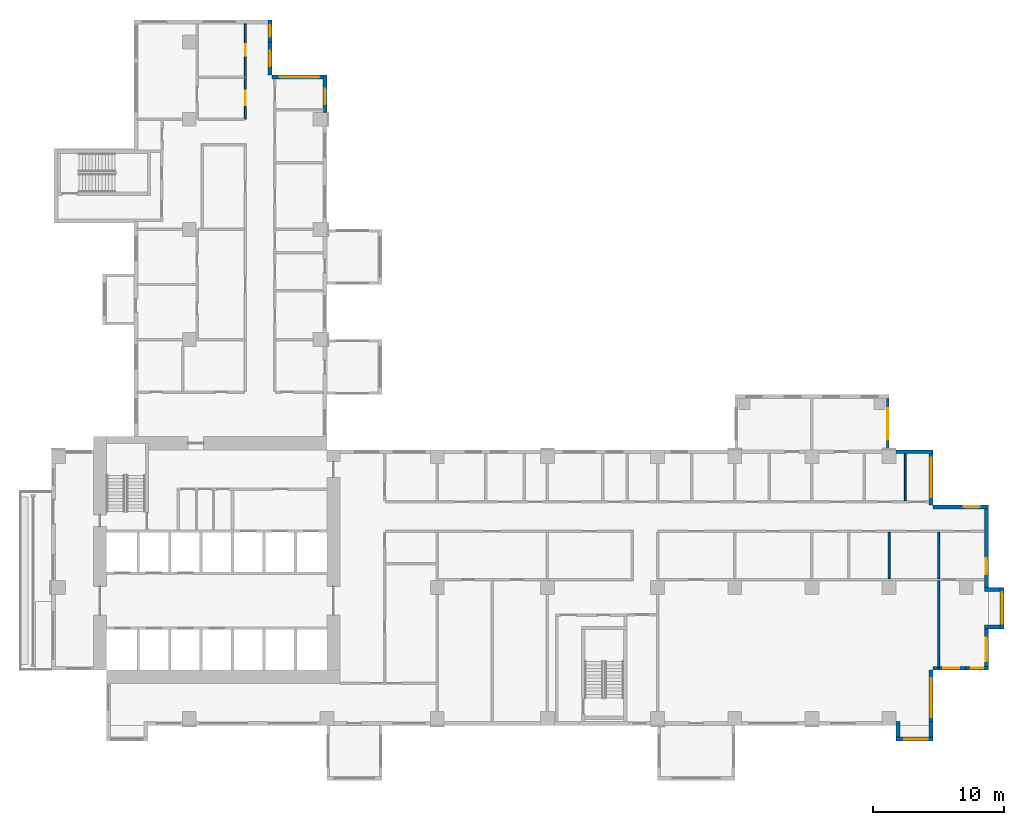
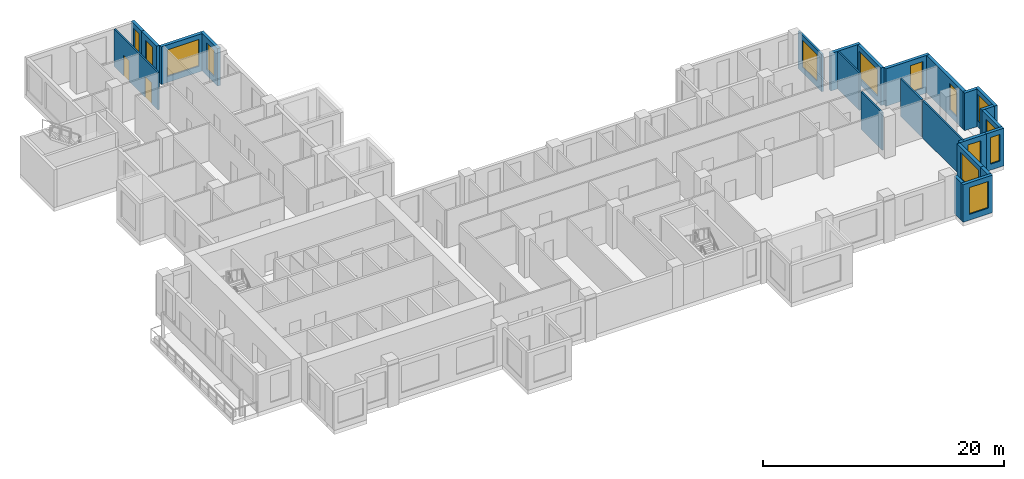
# One storey, part 8 of 14: 24 walls, 14 windows, 2 doors, 16 openings.
"""IFC4 building model written with IfcOpenShell, lengths in metres."""

from ifc_helpers import new_model, si_unit, direction, frame, frame_2d, origin, place, context, subcontext, project, spatial, rectangle, extrude, source, transform, mapped, material, layer, layer_set, type_object, element, fill, save


model = new_model("IFC4")

# Units and contexts
model_context = context("Model", 3, precision=1e-05, world=origin(), true_north=direction((0.0, 1.0)))
body_context = subcontext(model_context, "Body", "Model", "MODEL_VIEW")
ifc_project = project(units=[si_unit("LENGTHUNIT", "METRE"), si_unit("AREAUNIT", "SQUARE_METRE"), si_unit("VOLUMEUNIT", "CUBIC_METRE"), si_unit("PLANEANGLEUNIT", "RADIAN"), si_unit("MASSUNIT", "GRAM", prefix="KILO")], contexts=[model_context])

# Site, building, storey
site_placement = place(None, origin())
site = spatial("IfcSite", under=ifc_project, at=site_placement, CompositionType="ELEMENT")
building_placement = place(site_placement, origin())
building = spatial("IfcBuilding", under=site, at=building_placement, Name="Aurelian Terraces", CompositionType="ELEMENT")
storey_placement = place(building_placement, frame((0.0, 0.0, 111.9)))
storey = spatial("IfcBuildingStorey", under=building, at=storey_placement, Name="L24", CompositionType="ELEMENT", Elevation=111.9)

# Wall, opening, window
ifc_material_1 = material(Name="Terracotta rainscreen cladding", Category="masonry")
ifc_layer_1 = layer(ifc_material_1, 0.3)
ifc_layer_set_1 = layer_set([ifc_layer_1], Name="EW-300")
wall_type_1 = type_object("IfcWallType", Name="EW-300", PredefinedType="STANDARD", material=ifc_layer_set_1)
shared_shape_1 = source(origin(), body_context, "Body", "SweptSolid", [
    extrude(rectangle(XDim=3.15, YDim=0.3, at=frame_2d((1.575, 0.0))), origin(), (0.0, 0.0, 1.0), 3.8),
])
wall_1_placement = place(storey_placement, frame((71.25, 4.2, 0.0), z_axis=(0.0, 0.0, 1.0), x_axis=(0.0, 1.0, 0.0)))
wall_1 = element("IfcWall", 1, at=wall_1_placement, inside=storey, type_object=wall_type_1, Name="External wall L24 F04.14", PredefinedType="STANDARD", context=body_context, shape_type="MappedRepresentation", body=[
    mapped(shared_shape_1, transform((0.0, 0.0, 0.0), scale=1.0)),
])
shared_shape_2 = source(origin(), body_context, "Body", "SweptSolid", [
    extrude(rectangle(XDim=1.8, YDim=2.7, at=frame_2d((0.9, 1.35))), frame((0.0, 0.16, 0.0), z_axis=(0.0, -1.0, 0.0), x_axis=(1.0, 0.0, 0.0)), (0.0, 0.0, 1.0), 0.32),
])
opening_1_placement = place(wall_1_placement, frame((0.675, 0.0, 0.6)))
opening_1 = element("IfcOpeningElement", 2, at=opening_1_placement, cuts=wall_1, Name="Opening W1827", PredefinedType="OPENING", context=body_context, shape_type="MappedRepresentation", body=[
    mapped(shared_shape_2, transform((0.0, 0.0, 0.0), scale=1.0)),
])
ifc_material_2 = material(Name="Clear glazing", Category="glass")
window_type_1 = type_object("IfcWindowType", Name="W-1800x2700", PartitioningType="SINGLE_PANEL", PredefinedType="WINDOW", material=ifc_material_2)
shared_shape_3 = source(origin(), body_context, "Body", "SweptSolid", [
    extrude(rectangle(XDim=1.8, YDim=2.7, at=frame_2d((0.9, 1.35))), frame((0.0, 0.03, 0.0), z_axis=(0.0, -1.0, 0.0), x_axis=(1.0, 0.0, 0.0)), (0.0, 0.0, 1.0), 0.06),
])
window_1_placement = place(opening_1_placement, origin())
window_1 = element("IfcWindow", 3, at=window_1_placement, inside=storey, type_object=window_type_1, Name="Window L24 L24-F04-14-0", OverallHeight=2.7, OverallWidth=1.8, PartitioningType="SINGLE_PANEL", PredefinedType="WINDOW", context=body_context, shape_type="MappedRepresentation", body=[
    mapped(shared_shape_3, transform((0.0, 0.0, 0.0), scale=1.0)),
])
fill(opening_1, window_1)

wall_2_placement = place(storey_placement, frame((72.45, 7.35, 0.0), z_axis=(0.0, 0.0, 1.0), x_axis=(0.0, 1.0, 0.0)))
wall_2 = element("IfcWall", 4, at=wall_2_placement, inside=storey, type_object=wall_type_1, Name="Bay wall L24 F04.15", PredefinedType="STANDARD", context=body_context, shape_type="MappedRepresentation", body=[
    mapped(shared_shape_1, transform((0.0, 0.0, 0.0), scale=1.0)),
])
shared_shape_4 = source(origin(), body_context, "Body", "SweptSolid", [
    extrude(rectangle(XDim=2.4, YDim=2.7, at=frame_2d((1.2, 1.35))), frame((0.0, 0.16, 0.0), z_axis=(0.0, -1.0, 0.0), x_axis=(1.0, 0.0, 0.0)), (0.0, 0.0, 1.0), 0.32),
])
opening_2_placement = place(wall_2_placement, frame((0.375, 0.0, 0.6)))
opening_2 = element("IfcOpeningElement", 5, at=opening_2_placement, cuts=wall_2, Name="Opening W2427", PredefinedType="OPENING", context=body_context, shape_type="MappedRepresentation", body=[
    mapped(shared_shape_4, transform((0.0, 0.0, 0.0), scale=1.0)),
])
window_type_2 = type_object("IfcWindowType", Name="W-2400x2700", PartitioningType="SINGLE_PANEL", PredefinedType="WINDOW", material=ifc_material_2)
shared_shape_5 = source(origin(), body_context, "Body", "SweptSolid", [
    extrude(rectangle(XDim=2.4, YDim=2.7, at=frame_2d((1.2, 1.35))), frame((0.0, 0.03, 0.0), z_axis=(0.0, -1.0, 0.0), x_axis=(1.0, 0.0, 0.0)), (0.0, 0.0, 1.0), 0.06),
])
window_2_placement = place(opening_2_placement, origin())
window_2 = element("IfcWindow", 6, at=window_2_placement, inside=storey, type_object=window_type_2, Name="Window L24 L24-F04-15-0", OverallHeight=2.7, OverallWidth=2.4, PartitioningType="SINGLE_PANEL", PredefinedType="WINDOW", context=body_context, shape_type="MappedRepresentation", body=[
    mapped(shared_shape_5, transform((0.0, 0.0, 0.0), scale=1.0)),
])
fill(opening_2, window_2)

shared_shape_6 = source(origin(), body_context, "Body", "SweptSolid", [
    extrude(rectangle(XDim=4.2, YDim=0.3, at=frame_2d((2.1, 0.0))), origin(), (0.0, 0.0, 1.0), 3.8),
])
wall_3_placement = place(storey_placement, frame((67.05, 0.0, 0.0), z_axis=(0.0, 0.0, 1.0), x_axis=(0.0, 1.0, 0.0)))
wall_3 = element("IfcWall", 7, at=wall_3_placement, inside=storey, type_object=wall_type_1, Name="External wall L24 F02.11", PredefinedType="STANDARD", context=body_context, shape_type="MappedRepresentation", body=[
    mapped(shared_shape_6, transform((0.0, 0.0, 0.0), scale=1.0)),
])
shared_shape_7 = source(origin(), body_context, "Body", "SweptSolid", [
    extrude(rectangle(XDim=3.0, YDim=2.7, at=frame_2d((1.5, 1.35))), frame((0.0, 0.16, 0.0), z_axis=(0.0, -1.0, 0.0), x_axis=(1.0, 0.0, 0.0)), (0.0, 0.0, 1.0), 0.32),
])
opening_3_placement = place(wall_3_placement, frame((0.6, 0.0, 0.6)))
opening_3 = element("IfcOpeningElement", 8, at=opening_3_placement, cuts=wall_3, Name="Opening W3027", PredefinedType="OPENING", context=body_context, shape_type="MappedRepresentation", body=[
    mapped(shared_shape_7, transform((0.0, 0.0, 0.0), scale=1.0)),
])
window_type_3 = type_object("IfcWindowType", Name="W-3000x2700", PartitioningType="SINGLE_PANEL", PredefinedType="WINDOW", material=ifc_material_2)
shared_shape_8 = source(origin(), body_context, "Body", "SweptSolid", [
    extrude(rectangle(XDim=3.0, YDim=2.7, at=frame_2d((1.5, 1.35))), frame((0.0, 0.03, 0.0), z_axis=(0.0, -1.0, 0.0), x_axis=(1.0, 0.0, 0.0)), (0.0, 0.0, 1.0), 0.06),
])
window_3_placement = place(opening_3_placement, origin())
window_3 = element("IfcWindow", 9, at=window_3_placement, inside=storey, type_object=window_type_3, Name="Window L24 L24-F02-11-0", OverallHeight=2.7, OverallWidth=3.0, PartitioningType="SINGLE_PANEL", PredefinedType="WINDOW", context=body_context, shape_type="MappedRepresentation", body=[
    mapped(shared_shape_8, transform((0.0, 0.0, 0.0), scale=1.0)),
])
fill(opening_3, window_3)

wall_4_placement = place(storey_placement, frame((71.4, 16.65, 0.0), z_axis=(0.0, 0.0, 1.0), x_axis=(-1.0, 0.0, 0.0)))
wall_4 = element("IfcWall", 10, at=wall_4_placement, inside=storey, type_object=wall_type_1, Name="External wall L24 F05.17", PredefinedType="STANDARD", context=body_context, shape_type="MappedRepresentation", body=[
    mapped(shared_shape_6, transform((0.0, 0.0, 0.0), scale=1.0)),
])
shared_shape_9 = source(origin(), body_context, "Body", "SweptSolid", [
    extrude(rectangle(XDim=1.2, YDim=2.7, at=frame_2d((0.6, 1.35))), frame((0.0, 0.16, 0.0), z_axis=(0.0, -1.0, 0.0), x_axis=(1.0, 0.0, 0.0)), (0.0, 0.0, 1.0), 0.32),
])
opening_4_placement = place(wall_4_placement, frame((0.66, 0.0, 0.6)))
opening_4 = element("IfcOpeningElement", 11, at=opening_4_placement, cuts=wall_4, Name="Opening W1227", PredefinedType="OPENING", context=body_context, shape_type="MappedRepresentation", body=[
    mapped(shared_shape_9, transform((0.0, 0.0, 0.0), scale=1.0)),
])
window_type_4 = type_object("IfcWindowType", Name="W-1200x2700", PartitioningType="SINGLE_PANEL", PredefinedType="WINDOW", material=ifc_material_2)
shared_shape_10 = source(origin(), body_context, "Body", "SweptSolid", [
    extrude(rectangle(XDim=1.2, YDim=2.7, at=frame_2d((0.6, 1.35))), frame((0.0, 0.03, 0.0), z_axis=(0.0, -1.0, 0.0), x_axis=(1.0, 0.0, 0.0)), (0.0, 0.0, 1.0), 0.06),
])
window_4_placement = place(opening_4_placement, origin())
window_4 = element("IfcWindow", 12, at=window_4_placement, inside=storey, type_object=window_type_4, Name="Window L24 L24-F05-17-0", OverallHeight=2.7, OverallWidth=1.2, PartitioningType="SINGLE_PANEL", PredefinedType="WINDOW", context=body_context, shape_type="MappedRepresentation", body=[
    mapped(shared_shape_10, transform((0.0, 0.0, 0.0), scale=1.0)),
])
fill(opening_4, window_4)

wall_5_placement = place(storey_placement, frame((67.05, 16.8, 0.0), z_axis=(0.0, 0.0, 1.0), x_axis=(0.0, 1.0, 0.0)))
wall_5 = element("IfcWall", 13, at=wall_5_placement, inside=storey, type_object=wall_type_1, Name="External wall L24 F06.18", PredefinedType="STANDARD", context=body_context, shape_type="MappedRepresentation", body=[
    mapped(shared_shape_6, transform((0.0, 0.0, 0.0), scale=1.0)),
])
opening_5_placement = place(wall_5_placement, frame((0.6, 0.0, 0.6)))
opening_5 = element("IfcOpeningElement", 14, at=opening_5_placement, cuts=wall_5, Name="Opening W3027", PredefinedType="OPENING", context=body_context, shape_type="MappedRepresentation", body=[
    mapped(shared_shape_7, transform((0.0, 0.0, 0.0), scale=1.0)),
])
window_5_placement = place(opening_5_placement, origin())
window_5 = element("IfcWindow", 15, at=window_5_placement, inside=storey, type_object=window_type_3, Name="Window L24 L24-F06-18-0", OverallHeight=2.7, OverallWidth=3.0, PartitioningType="SINGLE_PANEL", PredefinedType="WINDOW", context=body_context, shape_type="MappedRepresentation", body=[
    mapped(shared_shape_8, transform((0.0, 0.0, 0.0), scale=1.0)),
])
fill(opening_5, window_5)

wall_6_placement = place(storey_placement, frame((21.0, 49.41, 0.0), z_axis=(0.0, 0.0, 1.0), x_axis=(-1.0, 0.0, 0.0)))
wall_6 = element("IfcWall", 16, at=wall_6_placement, inside=storey, type_object=wall_type_1, Name="External wall L24 F09.25", PredefinedType="STANDARD", context=body_context, shape_type="MappedRepresentation", body=[
    mapped(shared_shape_6, transform((0.0, 0.0, 0.0), scale=1.0)),
])
opening_6_placement = place(wall_6_placement, frame((0.6, 0.0, 0.6)))
opening_6 = element("IfcOpeningElement", 17, at=opening_6_placement, cuts=wall_6, Name="Opening W3027", PredefinedType="OPENING", context=body_context, shape_type="MappedRepresentation", body=[
    mapped(shared_shape_7, transform((0.0, 0.0, 0.0), scale=1.0)),
])
window_6_placement = place(opening_6_placement, origin())
window_6 = element("IfcWindow", 18, at=window_6_placement, inside=storey, type_object=window_type_3, Name="Window L24 L24-F09-25-0", OverallHeight=2.7, OverallWidth=3.0, PartitioningType="SINGLE_PANEL", PredefinedType="WINDOW", context=body_context, shape_type="MappedRepresentation", body=[
    mapped(shared_shape_8, transform((0.0, 0.0, 0.0), scale=1.0)),
])
fill(opening_6, window_6)

# Walls
shared_shape_11 = source(origin(), body_context, "Body", "SweptSolid", [
    extrude(rectangle(XDim=1.2, YDim=0.3, at=frame_2d((0.6, 0.0))), origin(), (0.0, 0.0, 1.0), 3.8),
])
for number, where, z_axis, x_axis, name in (
    (19, (64.515, 0.3, 0.0), (0.0, 0.0, 1.0), (0.0, -1.0, 0.0), "Bay return L24 F01.10.1"),
    (20, (67.05, 0.3, 0.0), (0.0, 0.0, 1.0), (0.0, -1.0, 0.0), "Bay return L24 F01.10.2"),
    (21, (71.1, 7.5, 0.0), (0.0, 0.0, 1.0), (1.0, 0.0, 0.0), "Bay return L24 F04.15.1"),
    (22, (71.1, 10.35, 0.0), (0.0, 0.0, 1.0), (1.0, 0.0, 0.0), "Bay return L24 F04.15.2"),
):
    element("IfcWall", number, at=place(storey_placement, frame(where, z_axis=z_axis, x_axis=x_axis)), inside=storey, type_object=wall_type_1, Name=name, PredefinedType="STANDARD", context=body_context, shape_type="MappedRepresentation", body=[
        mapped(shared_shape_11, transform((0.0, 0.0, 0.0), scale=1.0)),
    ])

# Wall, opening, window
shared_shape_12 = source(origin(), body_context, "Body", "SweptSolid", [
    extrude(rectangle(XDim=2.52, YDim=0.3, at=frame_2d((1.26, 0.0))), origin(), (0.0, 0.0, 1.0), 3.8),
])
wall_7_placement = place(storey_placement, frame((67.2, 4.35, 0.0), z_axis=(0.0, 0.0, 1.0), x_axis=(1.0, 0.0, 0.0)))
wall_7 = element("IfcWall", 23, at=wall_7_placement, inside=storey, type_object=wall_type_1, Name="External wall L24 F03.12", PredefinedType="STANDARD", context=body_context, shape_type="MappedRepresentation", body=[
    mapped(shared_shape_12, transform((0.0, 0.0, 0.0), scale=1.0)),
])
opening_7_placement = place(wall_7_placement, frame((0.7775, 0.0, 0.6)))
opening_7 = element("IfcOpeningElement", 24, at=opening_7_placement, cuts=wall_7, Name="Opening W1227", PredefinedType="OPENING", context=body_context, shape_type="MappedRepresentation", body=[
    mapped(shared_shape_9, transform((0.0, 0.0, 0.0), scale=1.0)),
])
window_7_placement = place(opening_7_placement, origin())
window_7 = element("IfcWindow", 25, at=window_7_placement, inside=storey, type_object=window_type_4, Name="Window L24 L24-F03-12-P0", OverallHeight=2.7, OverallWidth=1.2, PartitioningType="SINGLE_PANEL", PredefinedType="WINDOW", context=body_context, shape_type="MappedRepresentation", body=[
    mapped(shared_shape_10, transform((0.0, 0.0, 0.0), scale=1.0)),
])
fill(opening_7, window_7)

wall_8_placement = place(storey_placement, frame((16.65, 49.56, 0.0), z_axis=(0.0, 0.0, 1.0), x_axis=(0.0, 1.0, 0.0)))
wall_8 = element("IfcWall", 26, at=wall_8_placement, inside=storey, type_object=wall_type_1, Name="External wall L24 F10.26", PredefinedType="STANDARD", context=body_context, shape_type="MappedRepresentation", body=[
    mapped(shared_shape_12, transform((0.0, 0.0, 0.0), scale=1.0)),
])
opening_8_placement = place(wall_8_placement, frame((0.66, 0.0, 0.6)))
opening_8 = element("IfcOpeningElement", 27, at=opening_8_placement, cuts=wall_8, Name="Opening W1227", PredefinedType="OPENING", context=body_context, shape_type="MappedRepresentation", body=[
    mapped(shared_shape_9, transform((0.0, 0.0, 0.0), scale=1.0)),
])
window_8_placement = place(opening_8_placement, origin())
window_8 = element("IfcWindow", 28, at=window_8_placement, inside=storey, type_object=window_type_4, Name="Window L24 L24-F10-26-0", OverallHeight=2.7, OverallWidth=1.2, PartitioningType="SINGLE_PANEL", PredefinedType="WINDOW", context=body_context, shape_type="MappedRepresentation", body=[
    mapped(shared_shape_10, transform((0.0, 0.0, 0.0), scale=1.0)),
])
fill(opening_8, window_8)

shared_shape_13 = source(origin(), body_context, "Body", "SweptSolid", [
    extrude(rectangle(XDim=1.68, YDim=0.3, at=frame_2d((0.84, 0.0))), origin(), (0.0, 0.0, 1.0), 3.8),
])
wall_9_placement = place(storey_placement, frame((69.72, 4.35, 0.0), z_axis=(0.0, 0.0, 1.0), x_axis=(1.0, 0.0, 0.0)))
wall_9 = element("IfcWall", 29, at=wall_9_placement, inside=storey, type_object=wall_type_1, Name="External wall L24 F03.13", PredefinedType="STANDARD", context=body_context, shape_type="MappedRepresentation", body=[
    mapped(shared_shape_13, transform((0.0, 0.0, 0.0), scale=1.0)),
])
shared_shape_14 = source(origin(), body_context, "Body", "SweptSolid", [
    extrude(rectangle(XDim=0.9, YDim=2.7, at=frame_2d((0.45, 1.35))), frame((0.0, 0.16, 0.0), z_axis=(0.0, -1.0, 0.0), x_axis=(1.0, 0.0, 0.0)), (0.0, 0.0, 1.0), 0.32),
])
opening_9_placement = place(wall_9_placement, frame((0.39, 0.0, 0.6)))
opening_9 = element("IfcOpeningElement", 30, at=opening_9_placement, cuts=wall_9, Name="Opening W0927", PredefinedType="OPENING", context=body_context, shape_type="MappedRepresentation", body=[
    mapped(shared_shape_14, transform((0.0, 0.0, 0.0), scale=1.0)),
])
window_type_5 = type_object("IfcWindowType", Name="W-900x2700", PartitioningType="SINGLE_PANEL", PredefinedType="WINDOW", material=ifc_material_2)
shared_shape_15 = source(origin(), body_context, "Body", "SweptSolid", [
    extrude(rectangle(XDim=0.9, YDim=2.7, at=frame_2d((0.45, 1.35))), frame((0.0, 0.03, 0.0), z_axis=(0.0, -1.0, 0.0), x_axis=(1.0, 0.0, 0.0)), (0.0, 0.0, 1.0), 0.06),
])
window_9_placement = place(opening_9_placement, origin())
window_9 = element("IfcWindow", 31, at=window_9_placement, inside=storey, type_object=window_type_5, Name="Window L24 L24-F03-13-P0", OverallHeight=2.7, OverallWidth=0.9, PartitioningType="SINGLE_PANEL", PredefinedType="WINDOW", context=body_context, shape_type="MappedRepresentation", body=[
    mapped(shared_shape_15, transform((0.0, 0.0, 0.0), scale=1.0)),
])
fill(opening_9, window_9)

wall_10_placement = place(storey_placement, frame((16.65, 52.08, 0.0), z_axis=(0.0, 0.0, 1.0), x_axis=(0.0, 1.0, 0.0)))
wall_10 = element("IfcWall", 32, at=wall_10_placement, inside=storey, type_object=wall_type_1, Name="External wall L24 F10.27", PredefinedType="STANDARD", context=body_context, shape_type="MappedRepresentation", body=[
    mapped(shared_shape_13, transform((0.0, 0.0, 0.0), scale=1.0)),
])
opening_10_placement = place(wall_10_placement, frame((0.39, 0.0, 0.6)))
opening_10 = element("IfcOpeningElement", 33, at=opening_10_placement, cuts=wall_10, Name="Opening W0927", PredefinedType="OPENING", context=body_context, shape_type="MappedRepresentation", body=[
    mapped(shared_shape_14, transform((0.0, 0.0, 0.0), scale=1.0)),
])
window_10_placement = place(opening_10_placement, origin())
window_10 = element("IfcWindow", 34, at=window_10_placement, inside=storey, type_object=window_type_5, Name="Window L24 L24-F10-27-P0", OverallHeight=2.7, OverallWidth=0.9, PartitioningType="SINGLE_PANEL", PredefinedType="WINDOW", context=body_context, shape_type="MappedRepresentation", body=[
    mapped(shared_shape_15, transform((0.0, 0.0, 0.0), scale=1.0)),
])
fill(opening_10, window_10)

shared_shape_16 = source(origin(), body_context, "Body", "SweptSolid", [
    extrude(rectangle(XDim=6.3, YDim=0.3, at=frame_2d((3.15, 0.0))), origin(), (0.0, 0.0, 1.0), 3.8),
])
wall_11_placement = place(storey_placement, frame((71.25, 10.5, 0.0), z_axis=(0.0, 0.0, 1.0), x_axis=(0.0, 1.0, 0.0)))
wall_11 = element("IfcWall", 35, at=wall_11_placement, inside=storey, type_object=wall_type_1, Name="External wall L24 F04.16", PredefinedType="STANDARD", context=body_context, shape_type="MappedRepresentation", body=[
    mapped(shared_shape_16, transform((0.0, 0.0, 0.0), scale=1.0)),
])
opening_11_placement = place(wall_11_placement, frame((1.025, 0.0, 0.6)))
opening_11 = element("IfcOpeningElement", 36, at=opening_11_placement, cuts=wall_11, Name="Opening W1227", PredefinedType="OPENING", context=body_context, shape_type="MappedRepresentation", body=[
    mapped(shared_shape_9, transform((0.0, 0.0, 0.0), scale=1.0)),
])
window_11_placement = place(opening_11_placement, origin())
window_11 = element("IfcWindow", 37, at=window_11_placement, inside=storey, type_object=window_type_4, Name="Window L24 L24-F04-16-0", OverallHeight=2.7, OverallWidth=1.2, PartitioningType="SINGLE_PANEL", PredefinedType="WINDOW", context=body_context, shape_type="MappedRepresentation", body=[
    mapped(shared_shape_10, transform((0.0, 0.0, 0.0), scale=1.0)),
])
fill(opening_11, window_11)

ifc_material_3 = material(Name="Concrete fc' 40 MPa", Category="concrete")
ifc_layer_2 = layer(ifc_material_3, 0.2)
ifc_layer_set_2 = layer_set([ifc_layer_2], Name="BOX BEARING WALL 200")
wall_type_2 = type_object("IfcWallType", Name="BOX BEARING WALL 200", PredefinedType="SOLIDWALL", material=ifc_layer_set_2)
shared_shape_17 = source(origin(), body_context, "Body", "SweptSolid", [
    extrude(rectangle(XDim=3.9, YDim=0.2, at=frame_2d((1.95, 0.0))), origin(), (0.0, 0.0, 1.0), 3.79),
])
wall_12_placement = place(storey_placement, frame((63.74, 21.0, 0.0), z_axis=(0.0, 0.0, 1.0), x_axis=(0.0, 1.0, 0.0)))
wall_12 = element("IfcWall", 38, at=wall_12_placement, inside=storey, type_object=wall_type_2, Name="Box return L24 K02.1", PredefinedType="SOLIDWALL", context=body_context, shape_type="MappedRepresentation", body=[
    mapped(shared_shape_17, transform((0.0, 0.0, 0.0), scale=1.0)),
])
shared_shape_18 = source(origin(), body_context, "Body", "SweptSolid", [
    extrude(rectangle(XDim=2.4, YDim=2.7, at=frame_2d((1.2, 1.35))), frame((0.0, 0.11, 0.0), z_axis=(0.0, -1.0, 0.0), x_axis=(1.0, 0.0, 0.0)), (0.0, 0.0, 1.0), 0.22),
])
opening_12_placement = place(wall_12_placement, frame((0.75, 0.0, 0.6)))
opening_12 = element("IfcOpeningElement", 39, at=opening_12_placement, cuts=wall_12, Name="Opening W2427", PredefinedType="OPENING", context=body_context, shape_type="MappedRepresentation", body=[
    mapped(shared_shape_18, transform((0.0, 0.0, 0.0), scale=1.0)),
])
window_12_placement = place(opening_12_placement, origin())
window_12 = element("IfcWindow", 40, at=window_12_placement, inside=storey, type_object=window_type_2, Name="Window L24 K02-S1", OverallHeight=2.7, OverallWidth=2.4, PartitioningType="SINGLE_PANEL", PredefinedType="WINDOW", context=body_context, shape_type="MappedRepresentation", body=[
    mapped(shared_shape_5, transform((0.0, 0.0, 0.0), scale=1.0)),
])
fill(opening_12, window_12)

shared_shape_19 = source(origin(), body_context, "Body", "SweptSolid", [
    extrude(rectangle(XDim=2.835, YDim=0.3, at=frame_2d((1.4175, 0.0))), origin(), (0.0, 0.0, 1.0), 3.8),
])
wall_13_placement = place(storey_placement, frame((64.365, -1.05, 0.0), z_axis=(0.0, 0.0, 1.0), x_axis=(1.0, 0.0, 0.0)))
wall_13 = element("IfcWall", 41, at=wall_13_placement, inside=storey, type_object=wall_type_1, Name="Bay wall L24 F01.10", PredefinedType="STANDARD", context=body_context, shape_type="MappedRepresentation", body=[
    mapped(shared_shape_19, transform((0.0, 0.0, 0.0), scale=1.0)),
])
opening_13_placement = place(wall_13_placement, frame((0.6175, 0.0, 0.6)))
opening_13 = element("IfcOpeningElement", 42, at=opening_13_placement, cuts=wall_13, Name="Opening W1827", PredefinedType="OPENING", context=body_context, shape_type="MappedRepresentation", body=[
    mapped(shared_shape_2, transform((0.0, 0.0, 0.0), scale=1.0)),
])
window_13_placement = place(opening_13_placement, origin())
window_13 = element("IfcWindow", 43, at=window_13_placement, inside=storey, type_object=window_type_1, Name="Window L24 L24-F01-10-0", OverallHeight=2.7, OverallWidth=1.8, PartitioningType="SINGLE_PANEL", PredefinedType="WINDOW", context=body_context, shape_type="MappedRepresentation", body=[
    mapped(shared_shape_3, transform((0.0, 0.0, 0.0), scale=1.0)),
])
fill(opening_13, window_13)

# Wall
wall_14_placement = place(storey_placement, frame((67.2, 20.85, 0.0), z_axis=(0.0, 0.0, 1.0), x_axis=(-1.0, 0.0, 0.0)))
element("IfcWall", 44, at=wall_14_placement, inside=storey, type_object=wall_type_1, Name="External wall L24 F07.19", PredefinedType="STANDARD", context=body_context, shape_type="MappedRepresentation", body=[
    mapped(shared_shape_19, transform((0.0, 0.0, 0.0), scale=1.0)),
])

# Wall, opening, window
wall_15_placement = place(storey_placement, frame((20.85, 46.725, 0.0), z_axis=(0.0, 0.0, 1.0), x_axis=(0.0, 1.0, 0.0)))
wall_15 = element("IfcWall", 45, at=wall_15_placement, inside=storey, type_object=wall_type_1, Name="External wall L24 F08.24", PredefinedType="STANDARD", context=body_context, shape_type="MappedRepresentation", body=[
    mapped(shared_shape_19, transform((0.0, 0.0, 0.0), scale=1.0)),
])
opening_14_placement = place(wall_15_placement, frame((0.609, 0.0, 0.6)))
opening_14 = element("IfcOpeningElement", 46, at=opening_14_placement, cuts=wall_15, Name="Opening W1227", PredefinedType="OPENING", context=body_context, shape_type="MappedRepresentation", body=[
    mapped(shared_shape_9, transform((0.0, 0.0, 0.0), scale=1.0)),
])
window_14_placement = place(opening_14_placement, origin())
window_14 = element("IfcWindow", 47, at=window_14_placement, inside=storey, type_object=window_type_4, Name="Window L24 L24-F08-24-0", OverallHeight=2.7, OverallWidth=1.2, PartitioningType="SINGLE_PANEL", PredefinedType="WINDOW", context=body_context, shape_type="MappedRepresentation", body=[
    mapped(shared_shape_10, transform((0.0, 0.0, 0.0), scale=1.0)),
])
fill(opening_14, window_14)

# Wall
ifc_material_4 = material(Name="Gypsum board on steel studs", Category="steel")
ifc_layer_3 = layer(ifc_material_4, 0.15)
ifc_layer_set_3 = layer_set([ifc_layer_3], Name="Partition 150")
wall_type_3 = type_object("IfcWallType", Name="Partition 150", PredefinedType="PARTITIONING", material=ifc_layer_set_3)
shared_shape_20 = source(origin(), body_context, "Body", "SweptSolid", [
    extrude(rectangle(XDim=3.6, YDim=0.15, at=frame_2d((1.8, 0.0))), origin(), (0.0, 0.0, 1.0), 3.8),
])
wall_16_placement = place(storey_placement, frame((65.0722, 20.7, 0.0), z_axis=(0.0, 0.0, 1.0), x_axis=(0.0, -1.0, 0.0)))
element("IfcWall", 48, at=wall_16_placement, inside=storey, type_object=wall_type_3, Name="Partition", PredefinedType="PARTITIONING", context=body_context, shape_type="MappedRepresentation", body=[
    mapped(shared_shape_20, transform((0.0, 0.0, 0.0), scale=1.0)),
])

# Wall, openings, doors
ifc_layer_4 = layer(ifc_material_4, 0.15)
ifc_layer_set_4 = layer_set([ifc_layer_4], Name="Fire partition 150")
wall_type_4 = type_object("IfcWallType", Name="Fire partition 150", PredefinedType="PARTITIONING", material=ifc_layer_set_4)
shared_shape_21 = source(origin(), body_context, "Body", "SweptSolid", [
    extrude(rectangle(XDim=7.26, YDim=0.15, at=frame_2d((3.63, 0.0))), origin(), (0.0, 0.0, 1.0), 3.8),
])
wall_17_placement = place(storey_placement, frame((14.775, 46.2, 0.0), z_axis=(0.0, 0.0, 1.0), x_axis=(0.0, 1.0, 0.0)))
wall_17 = element("IfcWall", 49, at=wall_17_placement, inside=storey, type_object=wall_type_4, Name="Corridor wall", PredefinedType="PARTITIONING", context=body_context, shape_type="MappedRepresentation", body=[
    mapped(shared_shape_21, transform((0.0, 0.0, 0.0), scale=1.0)),
])
shared_shape_22 = source(origin(), body_context, "Body", "SweptSolid", [
    extrude(rectangle(XDim=1.1, YDim=2.1, at=frame_2d((0.55, 1.05))), frame((0.0, 0.085, 0.0), z_axis=(0.0, -1.0, 0.0), x_axis=(1.0, 0.0, 0.0)), (0.0, 0.0, 1.0), 0.17),
])
opening_15_placement = place(wall_17_placement, frame((1.0508, 0.0, 0.0)))
opening_15 = element("IfcOpeningElement", 50, at=opening_15_placement, cuts=wall_17, Name="Opening 724039", PredefinedType="OPENING", context=body_context, shape_type="MappedRepresentation", body=[
    mapped(shared_shape_22, transform((0.0, 0.0, 0.0), scale=1.0)),
])
shared_shape_23 = source(origin(), body_context, "Body", "SweptSolid", [
    extrude(rectangle(XDim=0.9, YDim=2.1, at=frame_2d((0.45, 1.05))), frame((0.0, 0.085, 0.0), z_axis=(0.0, -1.0, 0.0), x_axis=(1.0, 0.0, 0.0)), (0.0, 0.0, 1.0), 0.17),
])
opening_16_placement = place(wall_17_placement, frame((4.8183, 0.0, 0.0)))
opening_16 = element("IfcOpeningElement", 51, at=opening_16_placement, cuts=wall_17, Name="Opening 724041", PredefinedType="OPENING", context=body_context, shape_type="MappedRepresentation", body=[
    mapped(shared_shape_23, transform((0.0, 0.0, 0.0), scale=1.0)),
])
ifc_material_5 = material(Name="Timber door leaf", Category="wood")
door_type_1 = type_object("IfcDoorType", Name="Room door 900x2100 right", OperationType="SINGLE_SWING_RIGHT", PredefinedType="DOOR", material=ifc_material_5)
shared_shape_24 = source(origin(), body_context, "Body", "SweptSolid", [
    extrude(rectangle(XDim=0.9, YDim=2.1, at=frame_2d((0.45, 1.05))), frame((0.0, 0.025, 0.0), z_axis=(0.0, -1.0, 0.0), x_axis=(1.0, 0.0, 0.0)), (0.0, 0.0, 1.0), 0.05),
])
door_1_placement = place(opening_16_placement, origin())
door_1 = element("IfcDoor", 52, at=door_1_placement, inside=storey, type_object=door_type_1, Name="Door 724041", OperationType="SINGLE_SWING_RIGHT", OverallHeight=2.1, OverallWidth=0.9, PredefinedType="DOOR", context=body_context, shape_type="MappedRepresentation", body=[
    mapped(shared_shape_24, transform((0.0, 0.0, 0.0), scale=1.0)),
])
fill(opening_16, door_1)
door_type_2 = type_object("IfcDoorType", Name="Room door 1100x2100 right", OperationType="SINGLE_SWING_RIGHT", PredefinedType="DOOR", material=ifc_material_5)
shared_shape_25 = source(origin(), body_context, "Body", "SweptSolid", [
    extrude(rectangle(XDim=1.1, YDim=2.1, at=frame_2d((0.55, 1.05))), frame((0.0, 0.025, 0.0), z_axis=(0.0, -1.0, 0.0), x_axis=(1.0, 0.0, 0.0)), (0.0, 0.0, 1.0), 0.05),
])
door_2_placement = place(opening_15_placement, origin())
door_2 = element("IfcDoor", 53, at=door_2_placement, inside=storey, type_object=door_type_2, Name="Door 724039", OperationType="SINGLE_SWING_RIGHT", OverallHeight=2.1, OverallWidth=1.1, PredefinedType="DOOR", context=body_context, shape_type="MappedRepresentation", body=[
    mapped(shared_shape_25, transform((0.0, 0.0, 0.0), scale=1.0)),
])
fill(opening_15, door_2)

# Walls
shared_shape_26 = source(origin(), body_context, "Body", "SweptSolid", [
    extrude(rectangle(XDim=3.525, YDim=0.15, at=frame_2d((1.7625, 0.0))), origin(), (0.0, 0.0, 1.0), 3.8),
])
for number, where, z_axis, x_axis, name in (
    (54, (63.84, 11.175, 0.0), (0.0, 0.0, 1.0), (0.0, 1.0, 0.0), "Partition"),
    (55, (67.62, 11.175, 0.0), (0.0, 0.0, 1.0), (0.0, 1.0, 0.0), "Partition"),
):
    element("IfcWall", number, at=place(storey_placement, frame(where, z_axis=z_axis, x_axis=x_axis)), inside=storey, type_object=wall_type_3, Name=name, PredefinedType="PARTITIONING", context=body_context, shape_type="MappedRepresentation", body=[
        mapped(shared_shape_26, transform((0.0, 0.0, 0.0), scale=1.0)),
    ])
shared_shape_27 = source(origin(), body_context, "Body", "SweptSolid", [
    extrude(rectangle(XDim=6.62, YDim=0.15, at=frame_2d((3.31, 0.0))), origin(), (0.0, 0.0, 1.0), 3.8),
])
wall_18_placement = place(storey_placement, frame((67.62, 4.405, 0.0), z_axis=(0.0, 0.0, 1.0), x_axis=(0.0, 1.0, 0.0)))
element("IfcWall", 56, at=wall_18_placement, inside=storey, type_object=wall_type_3, Name="Partition", PredefinedType="PARTITIONING", context=body_context, shape_type="MappedRepresentation", body=[
    mapped(shared_shape_27, transform((0.0, 0.0, 0.0), scale=1.0)),
])

save(model, "model.ifc")
